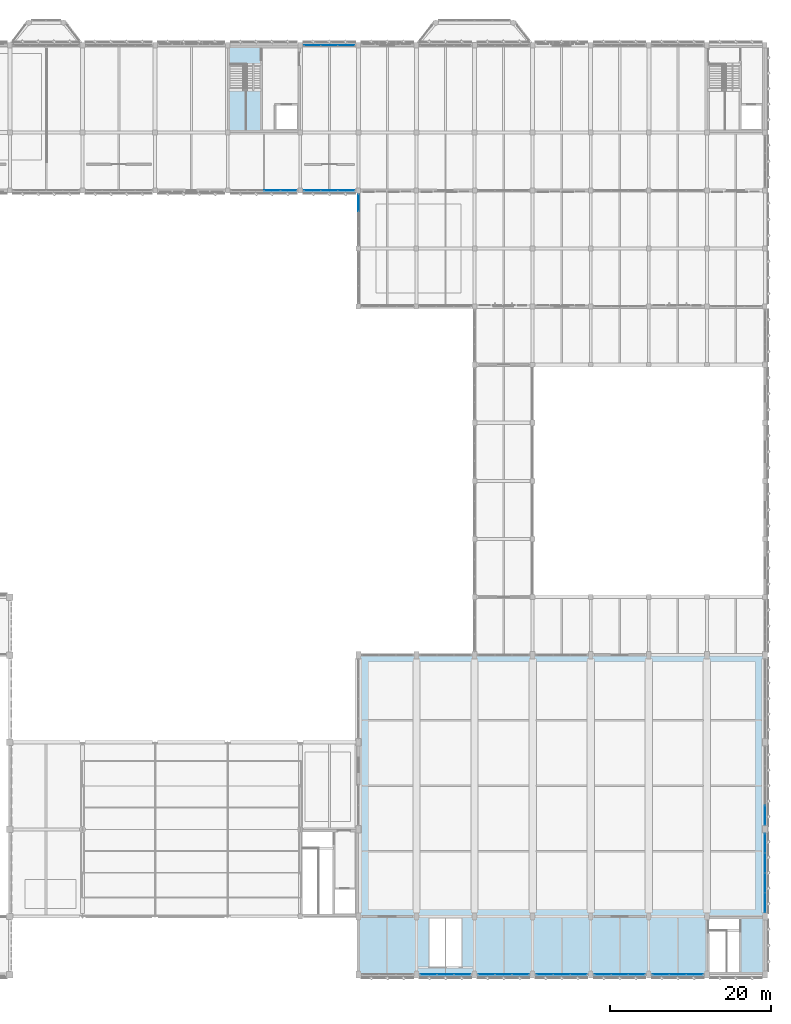
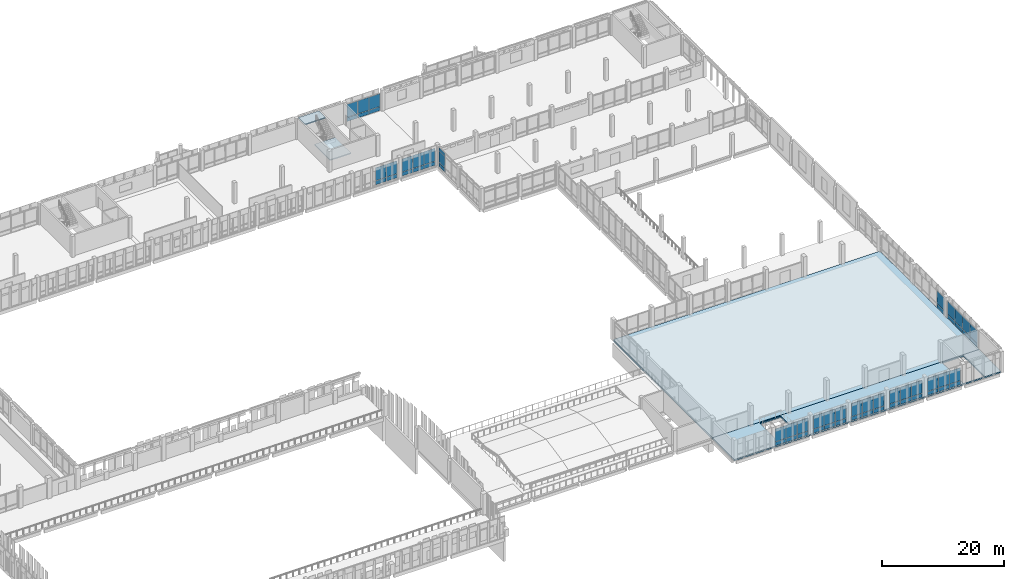
# One storey, part 125 of 158: 59 plates, 4 slabs, 12 elements without a shape of their own.
"""IFC4 building model written with IfcOpenShell, lengths in metres."""

from ifc_helpers import new_model, si_unit, direction, frame, origin, origin_2d, place, context, subcontext, project, spatial, polyline, rectangle, outline, extrude, material, layer, layer_set, type_object, element, aggregate, save


model = new_model("IFC4")

# Units and contexts
model_context = context("Model", 3, precision=1e-05, world=origin(), true_north=direction((0.0, 1.0)))
body_context = subcontext(model_context, "Body", "Model", "MODEL_VIEW")
ifc_project = project(units=[si_unit("LENGTHUNIT", "METRE"), si_unit("AREAUNIT", "SQUARE_METRE"), si_unit("VOLUMEUNIT", "CUBIC_METRE"), si_unit("PLANEANGLEUNIT", "RADIAN"), si_unit("MASSUNIT", "GRAM", prefix="KILO")], contexts=[model_context])

# Site, building, storey
site_placement = place(None, origin())
site = spatial("IfcSite", under=ifc_project, at=site_placement, CompositionType="ELEMENT")
building_placement = place(site_placement, origin())
building = spatial("IfcBuilding", under=site, at=building_placement, Name="Lusvemor Sports Hall", CompositionType="ELEMENT")
storey_placement = place(building_placement, frame((0.0, 0.0, 10.800048828125)))
storey = spatial("IfcBuildingStorey", under=building, at=storey_placement, Name="L02", CompositionType="ELEMENT", Elevation=10.800048828125)

# Curtain wall, plates
ifc_material_1 = material(Name="Thermally broken bronze-anodized aluminium", Category="aluminium")
curtain_wall_type_1 = type_object("IfcCurtainWallType", Name="CW_COURT_C", PredefinedType="NOTDEFINED", material=ifc_material_1)
curtain_wall_1_placement = place(storey_placement, origin())
curtain_wall_1 = element("IfcCurtainWall", 1, at=curtain_wall_1_placement, inside=storey, type_object=curtain_wall_type_1, Name="Curtain Wall CW-V2S-L02-1", PredefinedType="NOTDEFINED")
ifc_material_2 = material(Name="Solar-control laminated double glazing", Category="glass")
ifc_layer_1 = layer(ifc_material_2, 0.028076171875)
ifc_layer_set_1 = layer_set([ifc_layer_1], Name="Solar-control laminated double glazing")
plate_type_1 = type_object("IfcPlateType", Name="CW_PAN_GLZ_28", PredefinedType="CURTAIN_PANEL", material=ifc_layer_set_1)
plate_1_placement = place(storey_placement, frame((131.6904296875, 0.0, 0.8798828125), z_axis=(0.0, 0.0, 1.0), x_axis=(-1.0, 0.0, 0.0)))
plate_1 = element("IfcPlate", 2, at=plate_1_placement, type_object=plate_type_1, Name="CW03 panel 1.2", PredefinedType="CURTAIN_PANEL", context=body_context, shape_type="SweptSolid", body=[
    extrude(rectangle(XDim=2.00927734375, YDim=0.028076171875, at=origin_2d()), origin(), (0.0, 0.0, 1.0), 2.56005859375),
])
plate_2_placement = place(storey_placement, frame((129.60009765625, 0.0, 0.8798828125), z_axis=(0.0, 0.0, 1.0), x_axis=(-1.0, 0.0, 0.0)))
plate_2 = element("IfcPlate", 3, at=plate_2_placement, type_object=plate_type_1, Name="CW03 panel 2.2", PredefinedType="CURTAIN_PANEL", context=body_context, shape_type="SweptSolid", body=[
    extrude(rectangle(XDim=2.041748046875, YDim=0.028076171875, at=origin_2d()), origin(), (0.0, 0.0, 1.0), 2.56005859375),
])
plate_3_placement = place(storey_placement, frame((127.509521484375, 0.0, 0.8798828125), z_axis=(0.0, 0.0, 1.0), x_axis=(-1.0, 0.0, 0.0)))
plate_3 = element("IfcPlate", 4, at=plate_3_placement, type_object=plate_type_1, Name="CW03 panel 3.2", PredefinedType="CURTAIN_PANEL", context=body_context, shape_type="SweptSolid", body=[
    extrude(rectangle(XDim=2.00927734375, YDim=0.028076171875, at=origin_2d()), origin(), (0.0, 0.0, 1.0), 2.56005859375),
])

curtain_wall_2_placement = place(storey_placement, origin())
curtain_wall_2 = element("IfcCurtainWall", 5, at=curtain_wall_2_placement, inside=storey, type_object=curtain_wall_type_1, Name="Curtain Wall CW-V2S-L02-2", PredefinedType="NOTDEFINED")
plate_4_placement = place(storey_placement, frame((138.890380859375, 0.0, 0.8798828125), z_axis=(0.0, 0.0, 1.0), x_axis=(-1.0, 0.0, 0.0)))
plate_4 = element("IfcPlate", 6, at=plate_4_placement, type_object=plate_type_1, Name="CW03 panel 1.2", PredefinedType="CURTAIN_PANEL", context=body_context, shape_type="SweptSolid", body=[
    extrude(rectangle(XDim=2.00927734375, YDim=0.028076171875, at=origin_2d()), origin(), (0.0, 0.0, 1.0), 2.56005859375),
])
plate_5_placement = place(storey_placement, frame((136.800048828125, 0.0, 0.8798828125), z_axis=(0.0, 0.0, 1.0), x_axis=(-1.0, 0.0, 0.0)))
plate_5 = element("IfcPlate", 7, at=plate_5_placement, type_object=plate_type_1, Name="CW03 panel 2.2", PredefinedType="CURTAIN_PANEL", context=body_context, shape_type="SweptSolid", body=[
    extrude(rectangle(XDim=2.041748046875, YDim=0.028076171875, at=origin_2d()), origin(), (0.0, 0.0, 1.0), 2.56005859375),
])
plate_6_placement = place(storey_placement, frame((134.70947265625, 0.0, 0.8798828125), z_axis=(0.0, 0.0, 1.0), x_axis=(-1.0, 0.0, 0.0)))
plate_6 = element("IfcPlate", 8, at=plate_6_placement, type_object=plate_type_1, Name="CW03 panel 3.2", PredefinedType="CURTAIN_PANEL", context=body_context, shape_type="SweptSolid", body=[
    extrude(rectangle(XDim=2.00927734375, YDim=0.028076171875, at=origin_2d()), origin(), (0.0, 0.0, 1.0), 2.56005859375),
])

curtain_wall_3_placement = place(storey_placement, origin())
curtain_wall_3 = element("IfcCurtainWall", 9, at=curtain_wall_3_placement, inside=storey, type_object=curtain_wall_type_1, Name="Curtain Wall CW-V2S-L02-3", PredefinedType="NOTDEFINED")
plate_7_placement = place(storey_placement, frame((146.09033203125, 0.0, 0.8798828125), z_axis=(0.0, 0.0, 1.0), x_axis=(-1.0, 0.0, 0.0)))
plate_7 = element("IfcPlate", 10, at=plate_7_placement, type_object=plate_type_1, Name="CW03 panel 1.2", PredefinedType="CURTAIN_PANEL", context=body_context, shape_type="SweptSolid", body=[
    extrude(rectangle(XDim=2.00927734375, YDim=0.028076171875, at=origin_2d()), origin(), (0.0, 0.0, 1.0), 2.56005859375),
])
plate_8_placement = place(storey_placement, frame((144.0, 0.0, 0.8798828125), z_axis=(0.0, 0.0, 1.0), x_axis=(-1.0, 0.0, 0.0)))
plate_8 = element("IfcPlate", 11, at=plate_8_placement, type_object=plate_type_1, Name="CW03 panel 2.2", PredefinedType="CURTAIN_PANEL", context=body_context, shape_type="SweptSolid", body=[
    extrude(rectangle(XDim=2.041748046875, YDim=0.028076171875, at=origin_2d()), origin(), (0.0, 0.0, 1.0), 2.56005859375),
])
plate_9_placement = place(storey_placement, frame((141.90966796875, 0.0, 0.8798828125), z_axis=(0.0, 0.0, 1.0), x_axis=(-1.0, 0.0, 0.0)))
plate_9 = element("IfcPlate", 12, at=plate_9_placement, type_object=plate_type_1, Name="CW03 panel 3.2", PredefinedType="CURTAIN_PANEL", context=body_context, shape_type="SweptSolid", body=[
    extrude(rectangle(XDim=2.00927734375, YDim=0.028076171875, at=origin_2d()), origin(), (0.0, 0.0, 1.0), 2.56005859375),
])

curtain_wall_4_placement = place(storey_placement, origin())
curtain_wall_4 = element("IfcCurtainWall", 13, at=curtain_wall_4_placement, inside=storey, type_object=curtain_wall_type_1, Name="Curtain Wall CW-V2S-L02-4", PredefinedType="NOTDEFINED")
plate_10_placement = place(storey_placement, frame((153.29052734375, 0.0, 0.8798828125), z_axis=(0.0, 0.0, 1.0), x_axis=(-1.0, 0.0, 0.0)))
plate_10 = element("IfcPlate", 14, at=plate_10_placement, type_object=plate_type_1, Name="CW03 panel 1.2", PredefinedType="CURTAIN_PANEL", context=body_context, shape_type="SweptSolid", body=[
    extrude(rectangle(XDim=2.00927734375, YDim=0.028076171875, at=origin_2d()), origin(), (0.0, 0.0, 1.0), 2.56005859375),
])
plate_11_placement = place(storey_placement, frame((151.199951171875, 0.0, 0.8798828125), z_axis=(0.0, 0.0, 1.0), x_axis=(-1.0, 0.0, 0.0)))
plate_11 = element("IfcPlate", 15, at=plate_11_placement, type_object=plate_type_1, Name="CW03 panel 2.2", PredefinedType="CURTAIN_PANEL", context=body_context, shape_type="SweptSolid", body=[
    extrude(rectangle(XDim=2.041748046875, YDim=0.028076171875, at=origin_2d()), origin(), (0.0, 0.0, 1.0), 2.56005859375),
])
plate_12_placement = place(storey_placement, frame((149.109619140625, 0.0, 0.8798828125), z_axis=(0.0, 0.0, 1.0), x_axis=(-1.0, 0.0, 0.0)))
plate_12 = element("IfcPlate", 16, at=plate_12_placement, type_object=plate_type_1, Name="CW03 panel 3.2", PredefinedType="CURTAIN_PANEL", context=body_context, shape_type="SweptSolid", body=[
    extrude(rectangle(XDim=2.00927734375, YDim=0.028076171875, at=origin_2d()), origin(), (0.0, 0.0, 1.0), 2.56005859375),
])

curtain_wall_5_placement = place(storey_placement, origin())
curtain_wall_5 = element("IfcCurtainWall", 17, at=curtain_wall_5_placement, inside=storey, type_object=curtain_wall_type_1, Name="Curtain Wall CW-V2S-L02-5", PredefinedType="NOTDEFINED")
plate_13_placement = place(storey_placement, frame((160.490478515625, 0.0, 0.8798828125), z_axis=(0.0, 0.0, 1.0), x_axis=(-1.0, 0.0, 0.0)))
plate_13 = element("IfcPlate", 18, at=plate_13_placement, type_object=plate_type_1, Name="CW03 panel 1.2", PredefinedType="CURTAIN_PANEL", context=body_context, shape_type="SweptSolid", body=[
    extrude(rectangle(XDim=2.00927734375, YDim=0.028076171875, at=origin_2d()), origin(), (0.0, 0.0, 1.0), 2.56005859375),
])
plate_14_placement = place(storey_placement, frame((158.39990234375, 0.0, 0.8798828125), z_axis=(0.0, 0.0, 1.0), x_axis=(-1.0, 0.0, 0.0)))
plate_14 = element("IfcPlate", 19, at=plate_14_placement, type_object=plate_type_1, Name="CW03 panel 2.2", PredefinedType="CURTAIN_PANEL", context=body_context, shape_type="SweptSolid", body=[
    extrude(rectangle(XDim=2.041748046875, YDim=0.028076171875, at=origin_2d()), origin(), (0.0, 0.0, 1.0), 2.56005859375),
])
plate_15_placement = place(storey_placement, frame((156.3095703125, 0.0, 0.8798828125), z_axis=(0.0, 0.0, 1.0), x_axis=(-1.0, 0.0, 0.0)))
plate_15 = element("IfcPlate", 20, at=plate_15_placement, type_object=plate_type_1, Name="CW03 panel 3.2", PredefinedType="CURTAIN_PANEL", context=body_context, shape_type="SweptSolid", body=[
    extrude(rectangle(XDim=2.00927734375, YDim=0.028076171875, at=origin_2d()), origin(), (0.0, 0.0, 1.0), 2.56005859375),
])

curtain_wall_6_placement = place(storey_placement, origin())
curtain_wall_6 = element("IfcCurtainWall", 21, at=curtain_wall_6_placement, inside=storey, type_object=curtain_wall_type_1, Name="Curtain Wall CW-V2E-L02-1", PredefinedType="NOTDEFINED")
plate_16_placement = place(storey_placement, frame((169.199951171875, 16.273681640625, 0.8798828125), z_axis=(0.0, 0.0, 1.0), x_axis=(0.0, -1.0, 0.0)))
plate_16 = element("IfcPlate", 22, at=plate_16_placement, type_object=plate_type_1, Name="CW03 panel 1.2", PredefinedType="CURTAIN_PANEL", context=body_context, shape_type="SweptSolid", body=[
    extrude(rectangle(XDim=2.362548828125, YDim=0.028076171875, at=origin_2d()), origin(), (0.0, 0.0, 1.0), 2.56005859375),
])
plate_17_placement = place(storey_placement, frame((169.199951171875, 13.830078125, 0.8798828125), z_axis=(0.0, 0.0, 1.0), x_axis=(0.0, -1.0, 0.0)))
plate_17 = element("IfcPlate", 23, at=plate_17_placement, type_object=plate_type_1, Name="CW03 panel 2.2", PredefinedType="CURTAIN_PANEL", context=body_context, shape_type="SweptSolid", body=[
    extrude(rectangle(XDim=2.39501953125, YDim=0.028076171875, at=origin_2d()), origin(), (0.0, 0.0, 1.0), 2.56005859375),
])
plate_18_placement = place(storey_placement, frame((169.199951171875, 11.3701171875, 0.8798828125), z_axis=(0.0, 0.0, 1.0), x_axis=(0.0, -1.0, 0.0)))
plate_18 = element("IfcPlate", 24, at=plate_18_placement, type_object=plate_type_1, Name="CW03 panel 3.2", PredefinedType="CURTAIN_PANEL", context=body_context, shape_type="SweptSolid", body=[
    extrude(rectangle(XDim=2.39501953125, YDim=0.028076171875, at=origin_2d()), origin(), (0.0, 0.0, 1.0), 2.56005859375),
])
plate_19_placement = place(storey_placement, frame((169.199951171875, 8.92626953125, 0.8798828125), z_axis=(0.0, 0.0, 1.0), x_axis=(0.0, -1.0, 0.0)))
plate_19 = element("IfcPlate", 25, at=plate_19_placement, type_object=plate_type_1, Name="CW03 panel 4.2", PredefinedType="CURTAIN_PANEL", context=body_context, shape_type="SweptSolid", body=[
    extrude(rectangle(XDim=2.362548828125, YDim=0.028076171875, at=origin_2d()), origin(), (0.0, 0.0, 1.0), 2.56005859375),
])

# Curtain wall, plate
curtain_wall_7_placement = place(storey_placement, origin())
curtain_wall_7 = element("IfcCurtainWall", 26, at=curtain_wall_7_placement, inside=storey, type_object=curtain_wall_type_1, Name="Curtain Wall CW-V2E-L02-2", PredefinedType="NOTDEFINED")
plate_20_placement = place(storey_placement, frame((169.199951171875, 19.726318359375, 0.8798828125), z_axis=(0.0, 0.0, 1.0), x_axis=(0.0, -1.0, 0.0)))
plate_20 = element("IfcPlate", 27, at=plate_20_placement, type_object=plate_type_1, Name="CW03 panel 4.2", PredefinedType="CURTAIN_PANEL", context=body_context, shape_type="SweptSolid", body=[
    extrude(rectangle(XDim=2.362548828125, YDim=0.028076171875, at=origin_2d()), origin(), (0.0, 0.0, 1.0), 2.56005859375),
])

# Curtain wall, plates
ifc_material_3 = material(Name="Thermally broken bronze-anodized aluminium", Category="aluminium")
curtain_wall_type_2 = type_object("IfcCurtainWallType", Name="CW_WING_B", PredefinedType="NOTDEFINED", material=ifc_material_3)
curtain_wall_8_placement = place(storey_placement, origin())
curtain_wall_8 = element("IfcCurtainWall", 28, at=curtain_wall_8_placement, inside=storey, type_object=curtain_wall_type_2, Name="Curtain Wall CW-L02-N-1-11", PredefinedType="NOTDEFINED")
plate_21_placement = place(storey_placement, frame((113.09619140625, 115.199951171875, 0.8798828125), z_axis=(0.0, 0.0, 1.0), x_axis=(1.0, 0.0, 0.0)))
plate_21 = element("IfcPlate", 29, at=plate_21_placement, type_object=plate_type_1, Name="CW02 panel 1.2", PredefinedType="CURTAIN_PANEL", context=body_context, shape_type="SweptSolid", body=[
    extrude(rectangle(XDim=2.0224609375, YDim=0.028076171875, at=origin_2d()), origin(), (0.0, 0.0, 1.0), 2.580078125),
])
plate_22_placement = place(storey_placement, frame((115.199951171875, 115.199951171875, 0.8798828125), z_axis=(0.0, 0.0, 1.0), x_axis=(1.0, 0.0, 0.0)))
plate_22 = element("IfcPlate", 30, at=plate_22_placement, type_object=plate_type_1, Name="CW02 panel 2.2", PredefinedType="CURTAIN_PANEL", context=body_context, shape_type="SweptSolid", body=[
    extrude(rectangle(XDim=2.054931640625, YDim=0.028076171875, at=origin_2d()), origin(), (0.0, 0.0, 1.0), 2.580078125),
])
plate_23_placement = place(storey_placement, frame((117.3037109375, 115.199951171875, 0.8798828125), z_axis=(0.0, 0.0, 1.0), x_axis=(1.0, 0.0, 0.0)))
plate_23 = element("IfcPlate", 31, at=plate_23_placement, type_object=plate_type_1, Name="CW02 panel 3.2", PredefinedType="CURTAIN_PANEL", context=body_context, shape_type="SweptSolid", body=[
    extrude(rectangle(XDim=2.0224609375, YDim=0.028076171875, at=origin_2d()), origin(), (0.0, 0.0, 1.0), 2.580078125),
])

curtain_wall_9_placement = place(storey_placement, origin())
curtain_wall_9 = element("IfcCurtainWall", 32, at=curtain_wall_9_placement, inside=storey, type_object=curtain_wall_type_2, Name="Curtain Wall CW-L02-S-3-8", PredefinedType="NOTDEFINED")
plate_24_placement = place(storey_placement, frame((110.143798828125, 97.199951171875, 0.8798828125), z_axis=(0.0, 0.0, 1.0), x_axis=(-1.0, 0.0, 0.0)))
plate_24 = element("IfcPlate", 33, at=plate_24_placement, type_object=plate_type_1, Name="CW02 panel 1.2", PredefinedType="CURTAIN_PANEL", context=body_context, shape_type="SweptSolid", body=[
    extrude(rectangle(XDim=1.9423828125, YDim=0.028076171875, at=origin_2d()), origin(), (0.0, 0.0, 1.0), 2.580078125),
])
plate_25_placement = place(storey_placement, frame((108.1201171875, 97.199951171875, 0.8798828125), z_axis=(0.0, 0.0, 1.0), x_axis=(-1.0, 0.0, 0.0)))
plate_25 = element("IfcPlate", 34, at=plate_25_placement, type_object=plate_type_1, Name="CW02 panel 2.2", PredefinedType="CURTAIN_PANEL", context=body_context, shape_type="SweptSolid", body=[
    extrude(rectangle(XDim=1.97509765625, YDim=0.028076171875, at=origin_2d()), origin(), (0.0, 0.0, 1.0), 2.580078125),
])

curtain_wall_10_placement = place(storey_placement, origin())
curtain_wall_10 = element("IfcCurtainWall", 35, at=curtain_wall_10_placement, inside=storey, type_object=curtain_wall_type_2, Name="Curtain Wall CW-L02-S-3-9", PredefinedType="NOTDEFINED")
plate_26_placement = place(storey_placement, frame((117.3037109375, 97.199951171875, 0.8798828125), z_axis=(0.0, 0.0, 1.0), x_axis=(-1.0, 0.0, 0.0)))
plate_26 = element("IfcPlate", 36, at=plate_26_placement, type_object=plate_type_1, Name="CW02 panel 1.2", PredefinedType="CURTAIN_PANEL", context=body_context, shape_type="SweptSolid", body=[
    extrude(rectangle(XDim=2.0224609375, YDim=0.028076171875, at=origin_2d()), origin(), (0.0, 0.0, 1.0), 2.580078125),
])
plate_27_placement = place(storey_placement, frame((115.199951171875, 97.199951171875, 0.8798828125), z_axis=(0.0, 0.0, 1.0), x_axis=(-1.0, 0.0, 0.0)))
plate_27 = element("IfcPlate", 37, at=plate_27_placement, type_object=plate_type_1, Name="CW02 panel 2.2", PredefinedType="CURTAIN_PANEL", context=body_context, shape_type="SweptSolid", body=[
    extrude(rectangle(XDim=2.054931640625, YDim=0.028076171875, at=origin_2d()), origin(), (0.0, 0.0, 1.0), 2.580078125),
])
plate_28_placement = place(storey_placement, frame((113.09619140625, 97.199951171875, 0.8798828125), z_axis=(0.0, 0.0, 1.0), x_axis=(-1.0, 0.0, 0.0)))
plate_28 = element("IfcPlate", 38, at=plate_28_placement, type_object=plate_type_1, Name="CW02 panel 3.2", PredefinedType="CURTAIN_PANEL", context=body_context, shape_type="SweptSolid", body=[
    extrude(rectangle(XDim=2.0224609375, YDim=0.028076171875, at=origin_2d()), origin(), (0.0, 0.0, 1.0), 2.580078125),
])

curtain_wall_11_placement = place(storey_placement, origin())
curtain_wall_11 = element("IfcCurtainWall", 39, at=curtain_wall_11_placement, inside=storey, type_object=curtain_wall_type_2, Name="Curtain Wall CW-V5NE-W-L02-B", PredefinedType="NOTDEFINED")
plate_29_placement = place(storey_placement, frame((118.800048828125, 95.675537109375, 0.830078125), z_axis=(0.0, 0.0, 1.0), x_axis=(0.0, 1.0, 0.0)))
plate_29 = element("IfcPlate", 40, at=plate_29_placement, type_object=plate_type_1, Name="CW02 panel 3.2", PredefinedType="CURTAIN_PANEL", context=body_context, shape_type="SweptSolid", body=[
    extrude(rectangle(XDim=2.0390625, YDim=0.028076171875, at=origin_2d()), origin(), (0.0, 0.0, 1.0), 2.239990234375),
])
plate_30_placement = place(storey_placement, frame((118.800048828125, 95.675537109375, 3.1298828125), z_axis=(0.0, 0.0, 1.0), x_axis=(0.0, 1.0, 0.0)))
plate_30 = element("IfcPlate", 41, at=plate_30_placement, type_object=plate_type_1, Name="CW02 panel 3.3", PredefinedType="CURTAIN_PANEL", context=body_context, shape_type="SweptSolid", body=[
    extrude(rectangle(XDim=2.0390625, YDim=0.028076171875, at=origin_2d()), origin(), (0.0, 0.0, 1.0), 0.659912109375),
])

# Plate
ifc_material_4 = material(Name="Emerald polychrome glazed ceramic cladding on Concrete C40/50 backing", Category="concrete")
ifc_layer_2 = layer(ifc_material_4, 0.048095703125)
ifc_layer_set_2 = layer_set([ifc_layer_2], Name="Emerald polychrome glazed ceramic cladding on Concrete C40/50 backing")
plate_type_2 = type_object("IfcPlateType", Name="CW_PAN_SPN_48", PredefinedType="CURTAIN_PANEL", material=ifc_layer_set_2)
plate_31_placement = place(storey_placement, frame((131.6904296875, 0.0, 0.06005859375), z_axis=(0.0, 0.0, 1.0), x_axis=(-1.0, 0.0, 0.0)))
plate_31 = element("IfcPlate", 42, at=plate_31_placement, type_object=plate_type_2, Name="CW03 panel 1.1", PredefinedType="CURTAIN_PANEL", context=body_context, shape_type="SweptSolid", body=[
    extrude(rectangle(XDim=2.00927734375, YDim=0.048095703125, at=origin_2d()), origin(), (0.0, 0.0, 1.0), 0.760009765625),
])

plate_32_placement = place(storey_placement, frame((129.60009765625, 0.0, 0.06005859375), z_axis=(0.0, 0.0, 1.0), x_axis=(-1.0, 0.0, 0.0)))
plate_32 = element("IfcPlate", 43, at=plate_32_placement, type_object=plate_type_2, Name="CW03 panel 2.1", PredefinedType="CURTAIN_PANEL", context=body_context, shape_type="SweptSolid", body=[
    extrude(rectangle(XDim=2.041748046875, YDim=0.048095703125, at=origin_2d()), origin(), (0.0, 0.0, 1.0), 0.760009765625),
])

plate_33_placement = place(storey_placement, frame((127.509521484375, 0.0, 0.06005859375), z_axis=(0.0, 0.0, 1.0), x_axis=(-1.0, 0.0, 0.0)))
plate_33 = element("IfcPlate", 44, at=plate_33_placement, type_object=plate_type_2, Name="CW03 panel 3.1", PredefinedType="CURTAIN_PANEL", context=body_context, shape_type="SweptSolid", body=[
    extrude(rectangle(XDim=2.00927734375, YDim=0.048095703125, at=origin_2d()), origin(), (0.0, 0.0, 1.0), 0.760009765625),
])

aggregate(curtain_wall_1, [plate_31, plate_1, plate_32, plate_2, plate_33, plate_3])

plate_34_placement = place(storey_placement, frame((138.890380859375, 0.0, 0.06005859375), z_axis=(0.0, 0.0, 1.0), x_axis=(-1.0, 0.0, 0.0)))
plate_34 = element("IfcPlate", 45, at=plate_34_placement, type_object=plate_type_2, Name="CW03 panel 1.1", PredefinedType="CURTAIN_PANEL", context=body_context, shape_type="SweptSolid", body=[
    extrude(rectangle(XDim=2.00927734375, YDim=0.048095703125, at=origin_2d()), origin(), (0.0, 0.0, 1.0), 0.760009765625),
])

plate_35_placement = place(storey_placement, frame((136.800048828125, 0.0, 0.06005859375), z_axis=(0.0, 0.0, 1.0), x_axis=(-1.0, 0.0, 0.0)))
plate_35 = element("IfcPlate", 46, at=plate_35_placement, type_object=plate_type_2, Name="CW03 panel 2.1", PredefinedType="CURTAIN_PANEL", context=body_context, shape_type="SweptSolid", body=[
    extrude(rectangle(XDim=2.041748046875, YDim=0.048095703125, at=origin_2d()), origin(), (0.0, 0.0, 1.0), 0.760009765625),
])

plate_36_placement = place(storey_placement, frame((134.70947265625, 0.0, 0.06005859375), z_axis=(0.0, 0.0, 1.0), x_axis=(-1.0, 0.0, 0.0)))
plate_36 = element("IfcPlate", 47, at=plate_36_placement, type_object=plate_type_2, Name="CW03 panel 3.1", PredefinedType="CURTAIN_PANEL", context=body_context, shape_type="SweptSolid", body=[
    extrude(rectangle(XDim=2.00927734375, YDim=0.048095703125, at=origin_2d()), origin(), (0.0, 0.0, 1.0), 0.760009765625),
])

aggregate(curtain_wall_2, [plate_34, plate_4, plate_35, plate_5, plate_36, plate_6])

plate_37_placement = place(storey_placement, frame((146.09033203125, 0.0, 0.06005859375), z_axis=(0.0, 0.0, 1.0), x_axis=(-1.0, 0.0, 0.0)))
plate_37 = element("IfcPlate", 48, at=plate_37_placement, type_object=plate_type_2, Name="CW03 panel 1.1", PredefinedType="CURTAIN_PANEL", context=body_context, shape_type="SweptSolid", body=[
    extrude(rectangle(XDim=2.00927734375, YDim=0.048095703125, at=origin_2d()), origin(), (0.0, 0.0, 1.0), 0.760009765625),
])

plate_38_placement = place(storey_placement, frame((144.0, 0.0, 0.06005859375), z_axis=(0.0, 0.0, 1.0), x_axis=(-1.0, 0.0, 0.0)))
plate_38 = element("IfcPlate", 49, at=plate_38_placement, type_object=plate_type_2, Name="CW03 panel 2.1", PredefinedType="CURTAIN_PANEL", context=body_context, shape_type="SweptSolid", body=[
    extrude(rectangle(XDim=2.041748046875, YDim=0.048095703125, at=origin_2d()), origin(), (0.0, 0.0, 1.0), 0.760009765625),
])

plate_39_placement = place(storey_placement, frame((141.90966796875, 0.0, 0.06005859375), z_axis=(0.0, 0.0, 1.0), x_axis=(-1.0, 0.0, 0.0)))
plate_39 = element("IfcPlate", 50, at=plate_39_placement, type_object=plate_type_2, Name="CW03 panel 3.1", PredefinedType="CURTAIN_PANEL", context=body_context, shape_type="SweptSolid", body=[
    extrude(rectangle(XDim=2.00927734375, YDim=0.048095703125, at=origin_2d()), origin(), (0.0, 0.0, 1.0), 0.760009765625),
])

aggregate(curtain_wall_3, [plate_37, plate_7, plate_38, plate_8, plate_39, plate_9])

plate_40_placement = place(storey_placement, frame((153.29052734375, 0.0, 0.06005859375), z_axis=(0.0, 0.0, 1.0), x_axis=(-1.0, 0.0, 0.0)))
plate_40 = element("IfcPlate", 51, at=plate_40_placement, type_object=plate_type_2, Name="CW03 panel 1.1", PredefinedType="CURTAIN_PANEL", context=body_context, shape_type="SweptSolid", body=[
    extrude(rectangle(XDim=2.00927734375, YDim=0.048095703125, at=origin_2d()), origin(), (0.0, 0.0, 1.0), 0.760009765625),
])

plate_41_placement = place(storey_placement, frame((151.199951171875, 0.0, 0.06005859375), z_axis=(0.0, 0.0, 1.0), x_axis=(-1.0, 0.0, 0.0)))
plate_41 = element("IfcPlate", 52, at=plate_41_placement, type_object=plate_type_2, Name="CW03 panel 2.1", PredefinedType="CURTAIN_PANEL", context=body_context, shape_type="SweptSolid", body=[
    extrude(rectangle(XDim=2.041748046875, YDim=0.048095703125, at=origin_2d()), origin(), (0.0, 0.0, 1.0), 0.760009765625),
])

plate_42_placement = place(storey_placement, frame((149.109619140625, 0.0, 0.06005859375), z_axis=(0.0, 0.0, 1.0), x_axis=(-1.0, 0.0, 0.0)))
plate_42 = element("IfcPlate", 53, at=plate_42_placement, type_object=plate_type_2, Name="CW03 panel 3.1", PredefinedType="CURTAIN_PANEL", context=body_context, shape_type="SweptSolid", body=[
    extrude(rectangle(XDim=2.00927734375, YDim=0.048095703125, at=origin_2d()), origin(), (0.0, 0.0, 1.0), 0.760009765625),
])

aggregate(curtain_wall_4, [plate_40, plate_10, plate_41, plate_11, plate_42, plate_12])

plate_43_placement = place(storey_placement, frame((160.490478515625, 0.0, 0.06005859375), z_axis=(0.0, 0.0, 1.0), x_axis=(-1.0, 0.0, 0.0)))
plate_43 = element("IfcPlate", 54, at=plate_43_placement, type_object=plate_type_2, Name="CW03 panel 1.1", PredefinedType="CURTAIN_PANEL", context=body_context, shape_type="SweptSolid", body=[
    extrude(rectangle(XDim=2.00927734375, YDim=0.048095703125, at=origin_2d()), origin(), (0.0, 0.0, 1.0), 0.760009765625),
])

plate_44_placement = place(storey_placement, frame((158.39990234375, 0.0, 0.06005859375), z_axis=(0.0, 0.0, 1.0), x_axis=(-1.0, 0.0, 0.0)))
plate_44 = element("IfcPlate", 55, at=plate_44_placement, type_object=plate_type_2, Name="CW03 panel 2.1", PredefinedType="CURTAIN_PANEL", context=body_context, shape_type="SweptSolid", body=[
    extrude(rectangle(XDim=2.041748046875, YDim=0.048095703125, at=origin_2d()), origin(), (0.0, 0.0, 1.0), 0.760009765625),
])

plate_45_placement = place(storey_placement, frame((156.3095703125, 0.0, 0.06005859375), z_axis=(0.0, 0.0, 1.0), x_axis=(-1.0, 0.0, 0.0)))
plate_45 = element("IfcPlate", 56, at=plate_45_placement, type_object=plate_type_2, Name="CW03 panel 3.1", PredefinedType="CURTAIN_PANEL", context=body_context, shape_type="SweptSolid", body=[
    extrude(rectangle(XDim=2.00927734375, YDim=0.048095703125, at=origin_2d()), origin(), (0.0, 0.0, 1.0), 0.760009765625),
])

aggregate(curtain_wall_5, [plate_43, plate_13, plate_44, plate_14, plate_45, plate_15])

plate_46_placement = place(storey_placement, frame((169.199951171875, 16.273681640625, 0.06005859375), z_axis=(0.0, 0.0, 1.0), x_axis=(0.0, -1.0, 0.0)))
plate_46 = element("IfcPlate", 57, at=plate_46_placement, type_object=plate_type_2, Name="CW03 panel 1.1", PredefinedType="CURTAIN_PANEL", context=body_context, shape_type="SweptSolid", body=[
    extrude(rectangle(XDim=2.362548828125, YDim=0.048095703125, at=origin_2d()), origin(), (0.0, 0.0, 1.0), 0.760009765625),
])

plate_47_placement = place(storey_placement, frame((169.199951171875, 13.830078125, 0.06005859375), z_axis=(0.0, 0.0, 1.0), x_axis=(0.0, -1.0, 0.0)))
plate_47 = element("IfcPlate", 58, at=plate_47_placement, type_object=plate_type_2, Name="CW03 panel 2.1", PredefinedType="CURTAIN_PANEL", context=body_context, shape_type="SweptSolid", body=[
    extrude(rectangle(XDim=2.39501953125, YDim=0.048095703125, at=origin_2d()), origin(), (0.0, 0.0, 1.0), 0.760009765625),
])

plate_48_placement = place(storey_placement, frame((169.199951171875, 11.3701171875, 0.06005859375), z_axis=(0.0, 0.0, 1.0), x_axis=(0.0, -1.0, 0.0)))
plate_48 = element("IfcPlate", 59, at=plate_48_placement, type_object=plate_type_2, Name="CW03 panel 3.1", PredefinedType="CURTAIN_PANEL", context=body_context, shape_type="SweptSolid", body=[
    extrude(rectangle(XDim=2.39501953125, YDim=0.048095703125, at=origin_2d()), origin(), (0.0, 0.0, 1.0), 0.760009765625),
])

plate_49_placement = place(storey_placement, frame((169.199951171875, 8.92626953125, 0.06005859375), z_axis=(0.0, 0.0, 1.0), x_axis=(0.0, -1.0, 0.0)))
plate_49 = element("IfcPlate", 60, at=plate_49_placement, type_object=plate_type_2, Name="CW03 panel 4.1", PredefinedType="CURTAIN_PANEL", context=body_context, shape_type="SweptSolid", body=[
    extrude(rectangle(XDim=2.362548828125, YDim=0.048095703125, at=origin_2d()), origin(), (0.0, 0.0, 1.0), 0.760009765625),
])

aggregate(curtain_wall_6, [plate_46, plate_16, plate_47, plate_17, plate_48, plate_18, plate_49, plate_19])

plate_50_placement = place(storey_placement, frame((169.199951171875, 19.726318359375, 0.06005859375), z_axis=(0.0, 0.0, 1.0), x_axis=(0.0, -1.0, 0.0)))
plate_50 = element("IfcPlate", 61, at=plate_50_placement, type_object=plate_type_2, Name="CW03 panel 4.1", PredefinedType="CURTAIN_PANEL", context=body_context, shape_type="SweptSolid", body=[
    extrude(rectangle(XDim=2.362548828125, YDim=0.048095703125, at=origin_2d()), origin(), (0.0, 0.0, 1.0), 0.760009765625),
])

aggregate(curtain_wall_7, [plate_50, plate_20])

plate_51_placement = place(storey_placement, frame((113.09619140625, 115.199951171875, 0.06005859375), z_axis=(0.0, 0.0, 1.0), x_axis=(1.0, 0.0, 0.0)))
plate_51 = element("IfcPlate", 62, at=plate_51_placement, type_object=plate_type_2, Name="CW02 panel 1.1", PredefinedType="CURTAIN_PANEL", context=body_context, shape_type="SweptSolid", body=[
    extrude(rectangle(XDim=2.0224609375, YDim=0.048095703125, at=origin_2d()), origin(), (0.0, 0.0, 1.0), 0.760009765625),
])

plate_52_placement = place(storey_placement, frame((115.199951171875, 115.199951171875, 0.06005859375), z_axis=(0.0, 0.0, 1.0), x_axis=(1.0, 0.0, 0.0)))
plate_52 = element("IfcPlate", 63, at=plate_52_placement, type_object=plate_type_2, Name="CW02 panel 2.1", PredefinedType="CURTAIN_PANEL", context=body_context, shape_type="SweptSolid", body=[
    extrude(rectangle(XDim=2.054931640625, YDim=0.048095703125, at=origin_2d()), origin(), (0.0, 0.0, 1.0), 0.760009765625),
])

plate_53_placement = place(storey_placement, frame((117.3037109375, 115.199951171875, 0.06005859375), z_axis=(0.0, 0.0, 1.0), x_axis=(1.0, 0.0, 0.0)))
plate_53 = element("IfcPlate", 64, at=plate_53_placement, type_object=plate_type_2, Name="CW02 panel 3.1", PredefinedType="CURTAIN_PANEL", context=body_context, shape_type="SweptSolid", body=[
    extrude(rectangle(XDim=2.0224609375, YDim=0.048095703125, at=origin_2d()), origin(), (0.0, 0.0, 1.0), 0.760009765625),
])

aggregate(curtain_wall_8, [plate_51, plate_21, plate_52, plate_22, plate_53, plate_23])

plate_54_placement = place(storey_placement, frame((110.143798828125, 97.199951171875, 0.06005859375), z_axis=(0.0, 0.0, 1.0), x_axis=(-1.0, 0.0, 0.0)))
plate_54 = element("IfcPlate", 65, at=plate_54_placement, type_object=plate_type_2, Name="CW02 panel 1.1", PredefinedType="CURTAIN_PANEL", context=body_context, shape_type="SweptSolid", body=[
    extrude(rectangle(XDim=1.9423828125, YDim=0.048095703125, at=origin_2d()), origin(), (0.0, 0.0, 1.0), 0.760009765625),
])

plate_55_placement = place(storey_placement, frame((108.1201171875, 97.199951171875, 0.06005859375), z_axis=(0.0, 0.0, 1.0), x_axis=(-1.0, 0.0, 0.0)))
plate_55 = element("IfcPlate", 66, at=plate_55_placement, type_object=plate_type_2, Name="CW02 panel 2.1", PredefinedType="CURTAIN_PANEL", context=body_context, shape_type="SweptSolid", body=[
    extrude(rectangle(XDim=1.97509765625, YDim=0.048095703125, at=origin_2d()), origin(), (0.0, 0.0, 1.0), 0.760009765625),
])

aggregate(curtain_wall_9, [plate_54, plate_24, plate_55, plate_25])

plate_56_placement = place(storey_placement, frame((117.3037109375, 97.199951171875, 0.06005859375), z_axis=(0.0, 0.0, 1.0), x_axis=(-1.0, 0.0, 0.0)))
plate_56 = element("IfcPlate", 67, at=plate_56_placement, type_object=plate_type_2, Name="CW02 panel 1.1", PredefinedType="CURTAIN_PANEL", context=body_context, shape_type="SweptSolid", body=[
    extrude(rectangle(XDim=2.0224609375, YDim=0.048095703125, at=origin_2d()), origin(), (0.0, 0.0, 1.0), 0.760009765625),
])

plate_57_placement = place(storey_placement, frame((115.199951171875, 97.199951171875, 0.06005859375), z_axis=(0.0, 0.0, 1.0), x_axis=(-1.0, 0.0, 0.0)))
plate_57 = element("IfcPlate", 68, at=plate_57_placement, type_object=plate_type_2, Name="CW02 panel 2.1", PredefinedType="CURTAIN_PANEL", context=body_context, shape_type="SweptSolid", body=[
    extrude(rectangle(XDim=2.054931640625, YDim=0.048095703125, at=origin_2d()), origin(), (0.0, 0.0, 1.0), 0.760009765625),
])

plate_58_placement = place(storey_placement, frame((113.09619140625, 97.199951171875, 0.06005859375), z_axis=(0.0, 0.0, 1.0), x_axis=(-1.0, 0.0, 0.0)))
plate_58 = element("IfcPlate", 69, at=plate_58_placement, type_object=plate_type_2, Name="CW02 panel 3.1", PredefinedType="CURTAIN_PANEL", context=body_context, shape_type="SweptSolid", body=[
    extrude(rectangle(XDim=2.0224609375, YDim=0.048095703125, at=origin_2d()), origin(), (0.0, 0.0, 1.0), 0.760009765625),
])

aggregate(curtain_wall_10, [plate_56, plate_26, plate_57, plate_27, plate_58, plate_28])

plate_59_placement = place(storey_placement, frame((118.800048828125, 95.675537109375, 0.009765625), z_axis=(0.0, 0.0, 1.0), x_axis=(0.0, 1.0, 0.0)))
plate_59 = element("IfcPlate", 70, at=plate_59_placement, type_object=plate_type_2, Name="CW02 panel 3.1", PredefinedType="CURTAIN_PANEL", context=body_context, shape_type="SweptSolid", body=[
    extrude(rectangle(XDim=2.0390625, YDim=0.048095703125, at=origin_2d()), origin(), (0.0, 0.0, 1.0), 0.760009765625),
])

aggregate(curtain_wall_11, [plate_59, plate_29, plate_30])

# Slab
ifc_material_5 = material(Name="Concrete C40/50", Category="concrete")
ifc_layer_3 = layer(ifc_material_5, 0.260009765625)
ifc_layer_set_3 = layer_set([ifc_layer_3], Name="Concrete C40/50")
slab_type_1 = type_object("IfcSlabType", Name="SLAB_INT_260", PredefinedType="FLOOR", material=ifc_layer_set_3)
slab_1_placement = place(storey_placement, frame((0.0, 0.0, -0.260009765625)))
element("IfcSlab", 71, at=slab_1_placement, inside=storey, type_object=slab_type_1, Name="Slab L02 V2-SCONC", PredefinedType="FLOOR", context=body_context, shape_type="SweptSolid", body=[
    extrude(outline(polyline([(118.800048828125, 0.0), (169.199951171875, 0.0), (169.199951171875, 7.199951171875), (118.800048828125, 7.199951171875), (118.800048828125, 0.0)]), holes=[polyline([(162.159912109375, 0.159912109375), (166.139892578125, 0.159912109375), (166.139892578125, 7.0400390625), (162.159912109375, 7.0400390625), (162.159912109375, 0.159912109375)]), polyline([(127.60009765625, 0.89990234375), (131.60009765625, 0.89990234375), (131.60009765625, 6.93994140625), (127.60009765625, 6.93994140625), (127.60009765625, 0.89990234375)])]), origin(), (0.0, 0.0, 1.0), 0.260009765625),
])

# Stair, slabs
ifc_material_6 = material(Name="Concrete C40/50", Category="concrete")
stair_type = type_object("IfcStairType", Name="STAIR_CORE_420", PredefinedType="HALF_TURN_STAIR", material=ifc_material_6)
stair_placement = place(storey_placement, origin())
stair = element("IfcStair", 72, at=stair_placement, inside=storey, type_object=stair_type, Name="Escape Stair C4 (L02)", PredefinedType="HALF_TURN_STAIR")
ifc_material_7 = material(Name="Concrete C40/50", Category="concrete")
ifc_layer_4 = layer(ifc_material_7, 0.199951171875)
ifc_layer_set_4 = layer_set([ifc_layer_4], Name="Concrete C40/50")
slab_type_2 = type_object("IfcSlabType", Name="SLAB_LAND_200", PredefinedType="LANDING", material=ifc_layer_set_4)
slab_2_placement = place(storey_placement, frame((0.0, 0.0, 1.89990234375)))
slab_2 = element("IfcSlab", 73, at=slab_2_placement, type_object=slab_type_2, Name="ST02 landing 1", PredefinedType="LANDING", context=body_context, shape_type="SweptSolid", body=[
    extrude(outline(polyline([(102.780029296875, 104.580078125), (106.719970703125, 104.580078125), (106.719970703125, 109.699951171875), (102.780029296875, 109.699951171875), (102.780029296875, 104.580078125)])), origin(), (0.0, 0.0, 1.0), 0.199951171875),
])
slab_3_placement = place(storey_placement, frame((0.0, 0.0, 4.0)))
slab_3 = element("IfcSlab", 74, at=slab_3_placement, type_object=slab_type_2, Name="ST02 landing 2", PredefinedType="LANDING", context=body_context, shape_type="SweptSolid", body=[
    extrude(outline(polyline([(102.780029296875, 112.81005859375), (106.719970703125, 112.81005859375), (106.719970703125, 115.02001953125), (102.780029296875, 115.02001953125), (102.780029296875, 112.81005859375)])), origin(), (0.0, 0.0, 1.0), 0.199951171875),
])
aggregate(stair, [slab_2, slab_3])

# Slab
ifc_material_8 = material(Name="Post-tensioned concrete C50/60", Category="concrete")
ifc_layer_5 = layer(ifc_material_8, 0.35009765625)
ifc_layer_set_5 = layer_set([ifc_layer_5], Name="Post-tensioned concrete C50/60")
slab_type_3 = type_object("IfcSlabType", Name="SLAB_PT_350", PredefinedType="FLOOR", material=ifc_layer_set_5)
slab_4_placement = place(storey_placement, frame((0.0, 0.0, -0.35009765625)))
element("IfcSlab", 75, at=slab_4_placement, inside=storey, type_object=slab_type_3, Name="Slab L02 V2-UCOURT", PredefinedType="FLOOR", context=body_context, shape_type="SweptSolid", body=[
    extrude(outline(polyline([(118.800048828125, 7.199951171875), (169.199951171875, 7.199951171875), (169.199951171875, 39.60009765625), (118.800048828125, 39.60009765625), (118.800048828125, 7.199951171875)])), origin(), (0.0, 0.0, 1.0), 0.35009765625),
])

save(model, "model.ifc")
